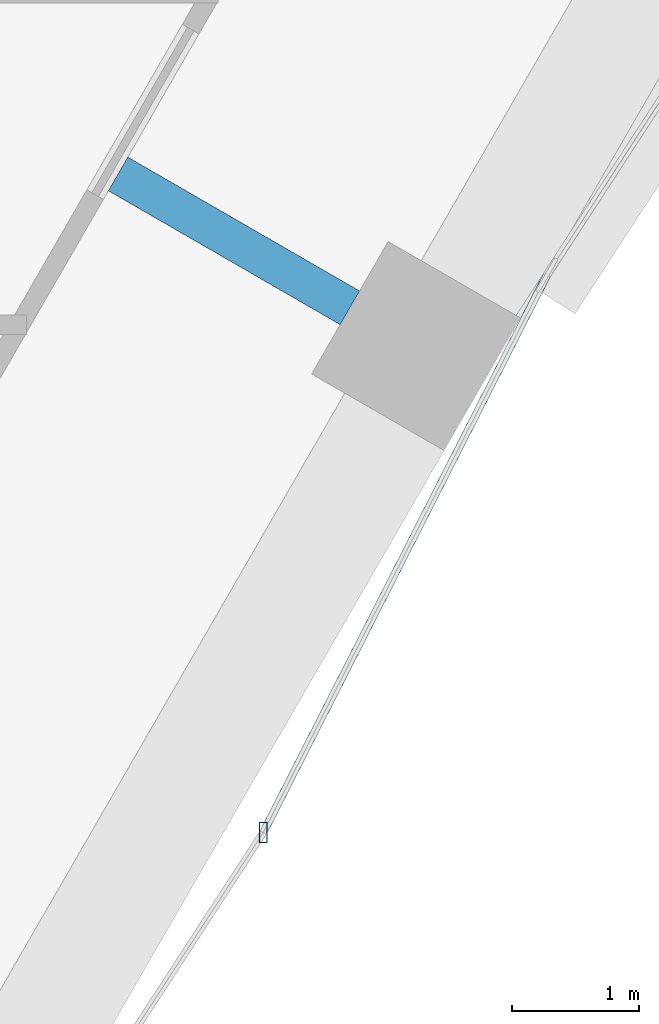
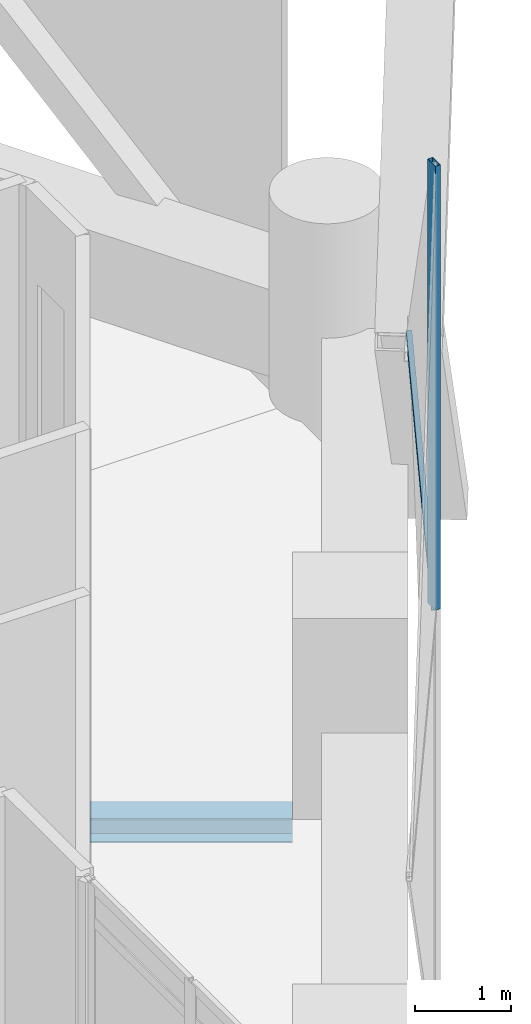
# One storey, part 14 of 38: 2 members, 1 beam, 2 elements without a shape of their own.
"""IFC4 building model written with IfcOpenShell, lengths in metres."""

from ifc_helpers import new_model, si_unit, direction, frame, origin, origin_2d, place, context, subcontext, project, spatial, hollow_rectangle, i_section, extrude, material, material_profile, profile_set, type_object, element, aggregate, save


model = new_model("IFC4")

# Units and contexts
model_context = context("Model", 3, precision=1e-05, world=origin(), true_north=direction((0.0, 1.0)))
body_context = subcontext(model_context, "Body", "Model", "MODEL_VIEW")
ifc_project = project(units=[si_unit("LENGTHUNIT", "METRE"), si_unit("AREAUNIT", "SQUARE_METRE"), si_unit("VOLUMEUNIT", "CUBIC_METRE"), si_unit("PLANEANGLEUNIT", "RADIAN"), si_unit("MASSUNIT", "GRAM", prefix="KILO")], contexts=[model_context])

# Site, building, storey
site_placement = place(None, origin())
site = spatial("IfcSite", under=ifc_project, at=site_placement, CompositionType="ELEMENT")
building_placement = place(site_placement, origin())
building = spatial("IfcBuilding", under=site, at=building_placement, Name="Ostrander Bayou Hotel Tower", CompositionType="ELEMENT")
storey_placement = place(building_placement, frame((0.0, 0.0, 96.75)))
storey = spatial("IfcBuildingStorey", under=building, at=storey_placement, Name="L24", CompositionType="ELEMENT", Elevation=96.75)

# Curtain wall, member
ifc_material_1 = material(Name="Aluminium and clear glass", Category="aluminium")
curtain_wall_type = type_object("IfcCurtainWallType", Name="CW-LAT lattice glazing", PredefinedType="NOTDEFINED", material=ifc_material_1)
curtain_wall_1_placement = place(storey_placement, origin())
curtain_wall_1 = element("IfcCurtainWall", 1, at=curtain_wall_1_placement, inside=storey, type_object=curtain_wall_type, Name="CW-LAT L24 SE 1", PredefinedType="NOTDEFINED")
ifc_material_2 = material(Name="Aluminium", Category="aluminium")
ifc_material_profile_1 = material_profile(ifc_material_2, hollow_rectangle(XDim=0.06005859375, YDim=0.159912109375, WallThickness=0.00390625, at=origin_2d()))
ifc_profile_set_1 = profile_set([ifc_material_profile_1], Name="Aluminium")
member_type_1 = type_object("IfcMemberType", Name="CW-LA mullion 60 x 160 mm", PredefinedType="MULLION", material=ifc_profile_set_1)
member_1_placement = place(storey_placement, frame((17.814208984375, -10.284912109375, 5.02490234375), z_axis=(0.0, 0.0, 1.0), x_axis=(1.0, 0.0, 0.0)))
member_1 = element("IfcMember", 2, at=member_1_placement, type_object=member_type_1, Name="CW-LAT mullion 2", PredefinedType="MULLION", context=body_context, shape_type="SweptSolid", body=[
    extrude(hollow_rectangle(XDim=0.06005859375, YDim=0.159912109375, WallThickness=0.00390625, at=origin_2d()), origin(), (0.0, 0.0, 1.0), 5.625),
])
aggregate(curtain_wall_1, [member_1])

curtain_wall_2_placement = place(storey_placement, origin())
curtain_wall_2 = element("IfcCurtainWall", 3, at=curtain_wall_2_placement, inside=storey, type_object=curtain_wall_type, Name="CW-LAT L24 SE 2", PredefinedType="NOTDEFINED")
ifc_material_3 = material(Name="Aluminium", Category="aluminium")
ifc_material_profile_2 = material_profile(ifc_material_3, hollow_rectangle(XDim=0.06005859375, YDim=0.1201171875, WallThickness=0.00390625, at=origin_2d()))
ifc_profile_set_2 = profile_set([ifc_material_profile_2], Name="Aluminium")
member_type_2 = type_object("IfcMemberType", Name="CW-LA transom 60 x 120 mm", PredefinedType="USERDEFINED", material=ifc_profile_set_2)
member_2_placement = place(storey_placement, frame((17.814208984375, -10.284912109375, 5.02490234375), z_axis=(0.453530737522, 0.891240635363, 0.0), x_axis=(-0.891240635363, 0.453530737522, 0.0)))
member_2 = element("IfcMember", 4, at=member_2_placement, type_object=member_type_2, Name="CW-LAT transom 4", ObjectType="TRANSOM", PredefinedType="USERDEFINED", context=body_context, shape_type="SweptSolid", body=[
    extrude(hollow_rectangle(XDim=0.06005859375, YDim=0.1201171875, WallThickness=0.00390625, at=origin_2d()), origin(), (0.0, 0.0, 1.0), 4.9072265625),
])
aggregate(curtain_wall_2, [member_2])

# Beam
ifc_material_4 = material(Name="Steel ASTM A992", Category="steel")
ifc_material_profile_3 = material_profile(ifc_material_4, i_section(OverallWidth=0.3046875, OverallDepth=0.307861328125, WebThickness=0.010009765625, FlangeThickness=0.015380859375, at=origin_2d()))
ifc_profile_set_3 = profile_set([ifc_material_profile_3], Name="Steel ASTM A992")
beam_type = type_object("IfcBeamType", Name="LB1 loggia bracket W12x65", PredefinedType="BEAM", material=ifc_profile_set_3)
beam_placement = place(storey_placement, frame((18.494384765625, -6.166748046875, -0.453857421875), z_axis=(-0.866009402589, 0.500027713859, 0.0), x_axis=(-0.500027713859, -0.866009402589, 0.0)))
element("IfcBeam", 5, at=beam_placement, inside=storey, type_object=beam_type, Name="LB1 L24 SE2", PredefinedType="BEAM", context=body_context, shape_type="SweptSolid", body=[
    extrude(i_section(OverallWidth=0.3046875, OverallDepth=0.307861328125, WebThickness=0.010009765625, FlangeThickness=0.015380859375, at=origin_2d()), origin(), (0.0, 0.0, 1.0), 2.10009765625),
])

save(model, "model.ifc")
